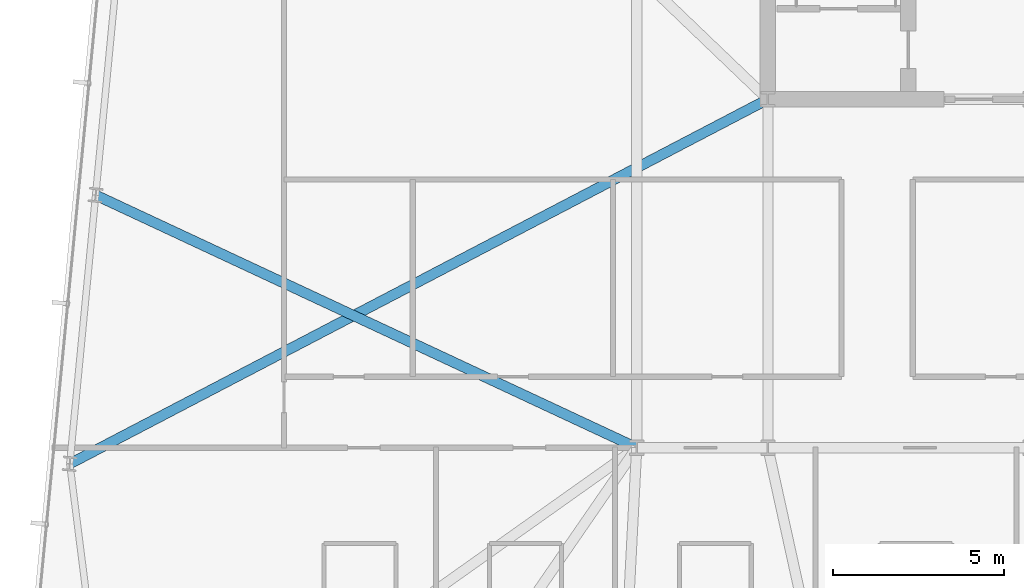
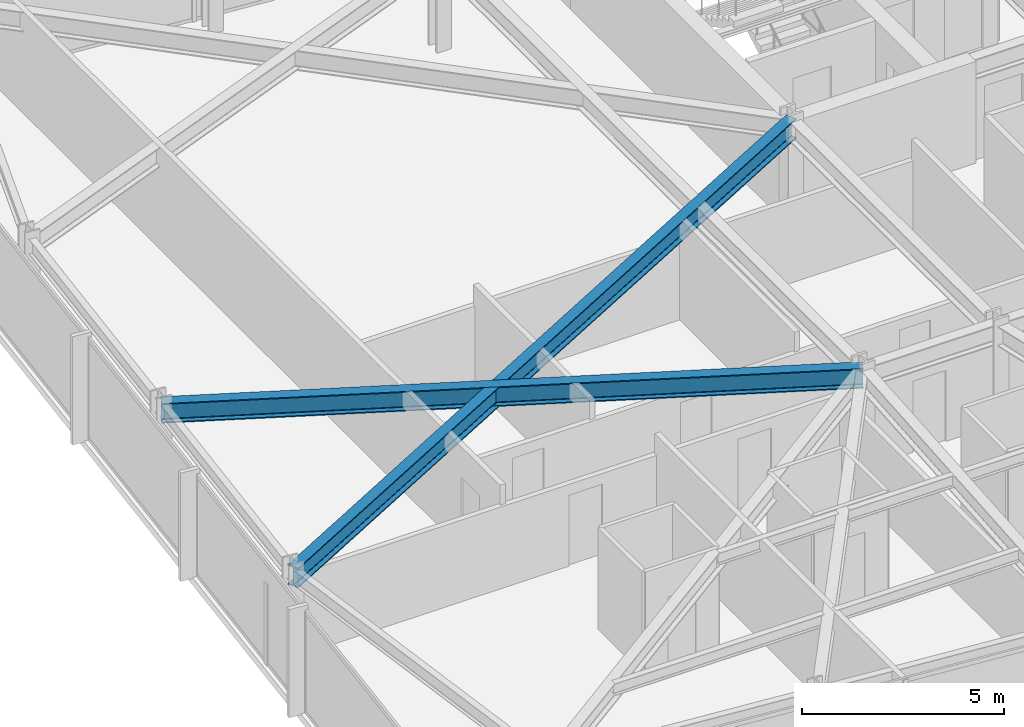
# One storey, part 9 of 37: 2 beams.
"""IFC4 building model written with IfcOpenShell, lengths in metres."""

from ifc_helpers import new_model, si_unit, direction, frame, origin, origin_2d, place, context, subcontext, project, spatial, i_section, extrude, material, material_profile, profile_set, type_object, element, save


model = new_model("IFC4")

# Units and contexts
model_context = context("Model", 3, precision=1e-05, world=origin(), true_north=direction((0.0, 1.0)))
body_context = subcontext(model_context, "Body", "Model", "MODEL_VIEW")
ifc_project = project(units=[si_unit("LENGTHUNIT", "METRE"), si_unit("AREAUNIT", "SQUARE_METRE"), si_unit("VOLUMEUNIT", "CUBIC_METRE"), si_unit("PLANEANGLEUNIT", "RADIAN"), si_unit("MASSUNIT", "GRAM", prefix="KILO")], contexts=[model_context])

# Site, building, storey
site_placement = place(None, origin())
site = spatial("IfcSite", under=ifc_project, at=site_placement, CompositionType="ELEMENT")
building_placement = place(site_placement, origin())
building = spatial("IfcBuilding", under=site, at=building_placement, Name="Yelkora Congress Tower", CompositionType="ELEMENT")
storey_placement = place(building_placement, frame((0.0, 0.0, 162.199951171875)))
storey = spatial("IfcBuildingStorey", under=building, at=storey_placement, Name="L44", CompositionType="ELEMENT", Elevation=162.199951171875)

# Beams
ifc_material = material(Name="Steel S355J2", Category="steel")
ifc_material_profile = material_profile(ifc_material, i_section(OverallWidth=0.300048828125, OverallDepth=0.60009765625, WebThickness=0.015380859375, FlangeThickness=0.030029296875, FilletRadius=0.027099609375, at=origin_2d()), Name="HEB 600")
ifc_profile_set = profile_set([ifc_material_profile], Name="Steel S355J2")
beam_type = type_object("IfcBeamType", Name="BM-GIRD-HEB600", PredefinedType="BEAM", material=ifc_profile_set)
beam_1_placement = place(storey_placement, frame((2.607421875, 24.730712890625, 2.780029296875), z_axis=(0.886430124978, 0.462862434781, 0.0), x_axis=(-0.462862434781, 0.886430124978, 0.0)))
element("IfcBeam", 1, at=beam_1_placement, inside=storey, type_object=beam_type, Name="L44 Primary Frame Girder W01", PredefinedType="BEAM", context=body_context, shape_type="SweptSolid", body=[
    extrude(i_section(OverallWidth=0.300048828125, OverallDepth=0.60009765625, WebThickness=0.015380859375, FlangeThickness=0.030029296875, FilletRadius=0.027099609375, at=origin_2d()), origin(), (0.0, 0.0, 1.0), 23.050537109375),
])
beam_2_placement = place(storey_placement, frame((3.364501953125, 32.594482421875, 2.780029296875), z_axis=(0.906081045456, -0.423104170466, 0.0), x_axis=(0.423104170466, 0.906081045456, 0.0)))
element("IfcBeam", 2, at=beam_2_placement, inside=storey, type_object=beam_type, Name="L44 Primary Frame Girder W02", PredefinedType="BEAM", context=body_context, shape_type="SweptSolid", body=[
    extrude(i_section(OverallWidth=0.300048828125, OverallDepth=0.60009765625, WebThickness=0.015380859375, FlangeThickness=0.030029296875, FilletRadius=0.027099609375, at=origin_2d()), origin(), (0.0, 0.0, 1.0), 17.476806640625),
])

save(model, "model.ifc")
